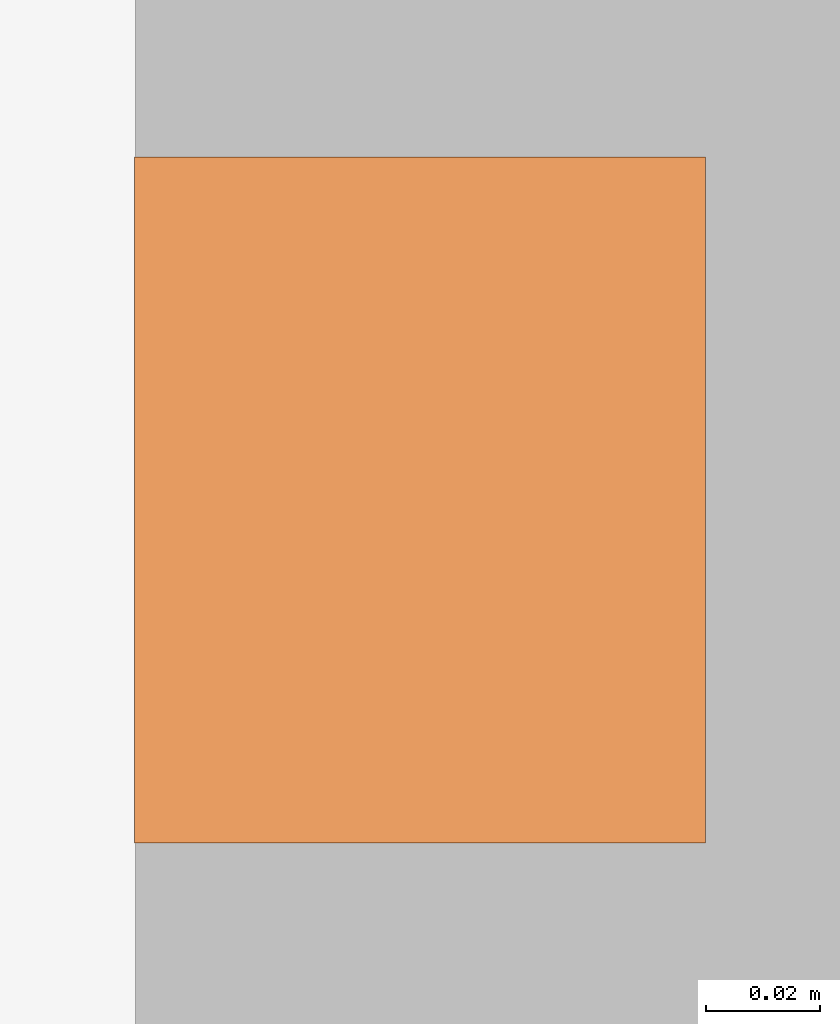
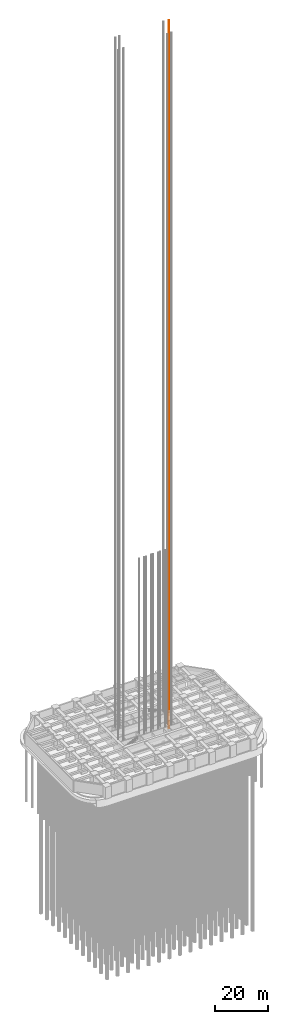
# One storey, part 24 of 24: 1 proxy.
"""IFC4 building model written with IfcOpenShell, lengths in metres."""

from ifc_helpers import new_model, si_unit, direction, frame, origin, origin_2d, place, context, subcontext, project, spatial, rectangle, extrude, element, save


model = new_model("IFC4")

# Units and contexts
model_context = context("Model", 3, precision=1e-05, world=origin(), true_north=direction((0.0, 1.0)))
body_context = subcontext(model_context, "Body", "Model", "MODEL_VIEW")
ifc_project = project(units=[si_unit("LENGTHUNIT", "METRE"), si_unit("AREAUNIT", "SQUARE_METRE"), si_unit("VOLUMEUNIT", "CUBIC_METRE"), si_unit("PLANEANGLEUNIT", "RADIAN"), si_unit("MASSUNIT", "GRAM", prefix="KILO")], contexts=[model_context])

# Site, building, storey
site_placement = place(None, origin())
site = spatial("IfcSite", under=ifc_project, at=site_placement, CompositionType="ELEMENT")
building_placement = place(site_placement, origin())
building = spatial("IfcBuilding", under=site, at=building_placement, Name="Zorevar Civic Tower", CompositionType="ELEMENT")
storey_placement = place(building_placement, frame((0.0, 0.0, -5.0)))
storey = spatial("IfcBuildingStorey", under=building, at=storey_placement, Name="B1", CompositionType="ELEMENT", Elevation=-5.0)

# Proxy
proxy_placement = place(storey_placement, frame((44.64990234375, 30.800048828125, -3.349853515625), z_axis=(0.0, 0.0, 1.0), x_axis=(1.0, 0.0, 0.0)))
element("IfcBuildingElementProxy", 1, at=proxy_placement, inside=storey, Name="Firefighting lift FL2 guide rail 2", PredefinedType="NOTDEFINED", context=body_context, shape_type="SweptSolid", body=[
    extrude(rectangle(XDim=0.10009765625, YDim=0.1201171875, at=origin_2d()), origin(), (0.0, 0.0, 1.0), 323.64990234375),
])

save(model, "model.ifc")
